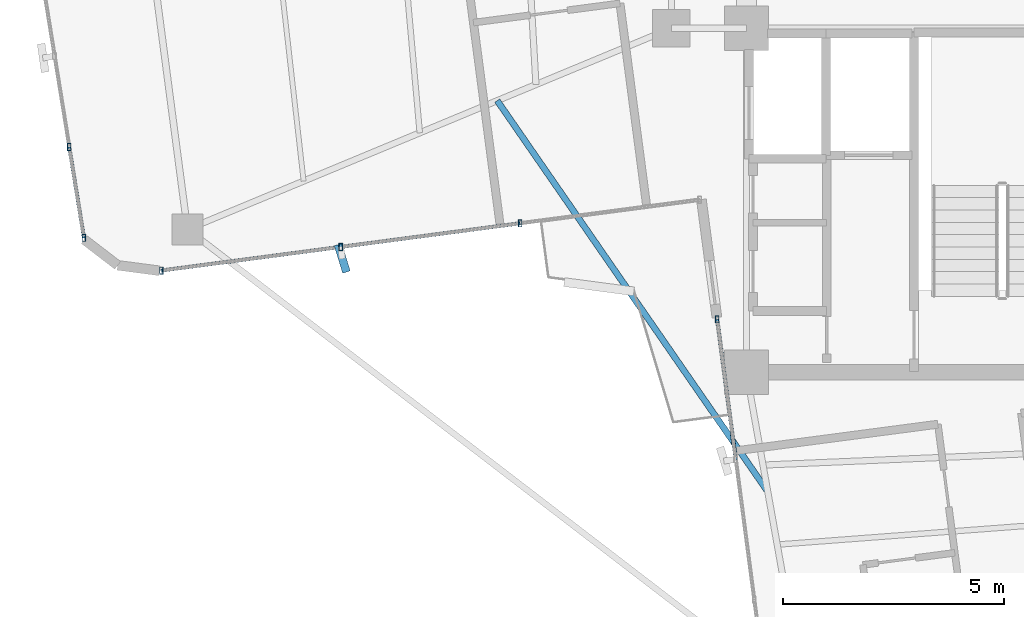
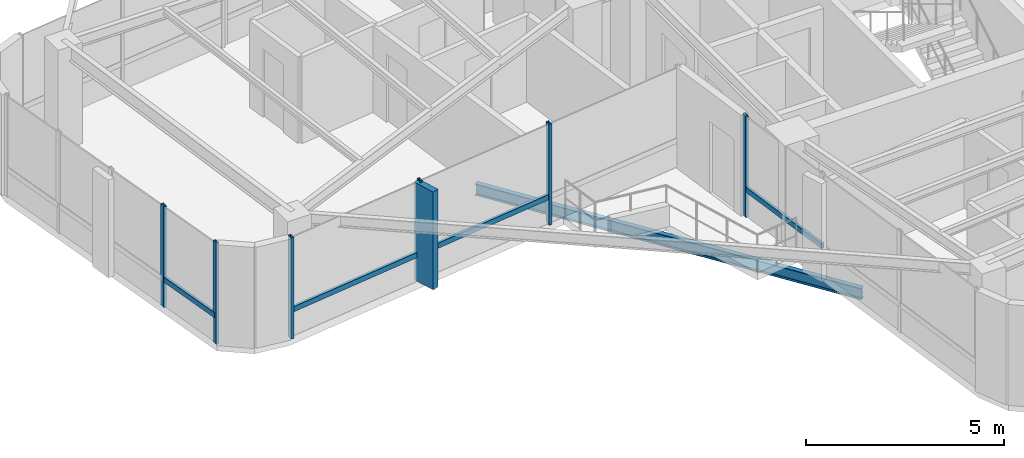
# One storey, part 2 of 22: 11 members, 1 beam, 3 elements without a shape of their own.
"""IFC4 building model written with IfcOpenShell, lengths in metres."""

from ifc_helpers import new_model, si_unit, direction, frame, origin, origin_2d, place, context, subcontext, project, spatial, rectangle, hollow_rectangle, i_section, extrude, source, transform, mapped, material, material_profile, profile_set, type_object, element, aggregate, save


model = new_model("IFC4")

# Units and contexts
model_context = context("Model", 3, precision=1e-05, world=origin(), true_north=direction((0.0, 1.0)))
body_context = subcontext(model_context, "Body", "Model", "MODEL_VIEW")
ifc_project = project(units=[si_unit("LENGTHUNIT", "METRE"), si_unit("AREAUNIT", "SQUARE_METRE"), si_unit("VOLUMEUNIT", "CUBIC_METRE"), si_unit("PLANEANGLEUNIT", "RADIAN"), si_unit("MASSUNIT", "GRAM", prefix="KILO")], contexts=[model_context])

# Site, building, storey
site_placement = place(None, origin())
site = spatial("IfcSite", under=ifc_project, at=site_placement, CompositionType="ELEMENT")
building_placement = place(site_placement, origin())
building = spatial("IfcBuilding", under=site, at=building_placement, Name="Sahyath Konkavel Grand Hotel", CompositionType="ELEMENT")
storey_placement = place(building_placement, frame((0.0, 0.0, 269.10009765625)))
storey = spatial("IfcBuildingStorey", under=building, at=storey_placement, Name="L75", CompositionType="ELEMENT", Elevation=269.10009765625)

# Curtain wall, members
ifc_material_1 = material(Name="Anodised Bronze Aluminium & Low-E Glazing", Category="aluminium")
curtain_wall_type = type_object("IfcCurtainWallType", Name="CW-ZONE4", PredefinedType="NOTDEFINED", material=ifc_material_1)
curtain_wall_1_placement = place(storey_placement, origin())
curtain_wall_1 = element("IfcCurtainWall", 1, at=curtain_wall_1_placement, inside=storey, type_object=curtain_wall_type, Name="L75 Unitised Curtain Wall F20", PredefinedType="NOTDEFINED")
ifc_material_2 = material(Name="Anodised Bronze Aluminium", Category="aluminium")
ifc_material_profile_1 = material_profile(ifc_material_2, hollow_rectangle(XDim=0.080078125, YDim=0.159912109375, WallThickness=0.006103515625, at=origin_2d()), Name="RHS 160x80x6")
ifc_profile_set_1 = profile_set([ifc_material_profile_1], Name="Anodised Bronze Aluminium")
member_type_1 = type_object("IfcMemberType", Name="CW-MUL-160", PredefinedType="MULLION", material=ifc_profile_set_1)
shared_shape_1 = source(origin(), body_context, "Body", "SweptSolid", [
    extrude(hollow_rectangle(XDim=0.080078125, YDim=0.159912109375, WallThickness=0.006103515625, at=origin_2d()), origin(), (0.0, 0.0, 1.0), 3.10986328125),
])
member_1_placement = place(storey_placement, frame((-19.15380859375, -5.09228515625, 0.0), z_axis=(0.0, 0.0, 1.0), x_axis=(1.0, 0.0, 0.0)))
member_1 = element("IfcMember", 2, at=member_1_placement, type_object=member_type_1, Name="L75 Curtain Wall Mullion F20-3", PredefinedType="MULLION", context=body_context, shape_type="MappedRepresentation", body=[
    mapped(shared_shape_1, transform((0.0, 0.0, 0.0), scale=1.0)),
])
member_2_placement = place(storey_placement, frame((-18.82080078125, -7.15283203125, 0.0), z_axis=(0.0, 0.0, 1.0), x_axis=(1.0, 0.0, 0.0)))
member_2 = element("IfcMember", 3, at=member_2_placement, type_object=member_type_1, Name="L75 Curtain Wall Mullion F20-4", PredefinedType="MULLION", context=body_context, shape_type="MappedRepresentation", body=[
    mapped(shared_shape_1, transform((0.0, 0.0, 0.0), scale=1.0)),
])

curtain_wall_2_placement = place(storey_placement, origin())
curtain_wall_2 = element("IfcCurtainWall", 4, at=curtain_wall_2_placement, inside=storey, type_object=curtain_wall_type, Name="L75 Unitised Curtain Wall F23", PredefinedType="NOTDEFINED")
member_3_placement = place(storey_placement, frame((-17.0654296875, -7.89501953125, 0.0), z_axis=(0.0, 0.0, 1.0), x_axis=(1.0, 0.0, 0.0)))
member_3 = element("IfcMember", 5, at=member_3_placement, type_object=member_type_1, Name="L75 Curtain Wall Mullion F23-0", PredefinedType="MULLION", context=body_context, shape_type="MappedRepresentation", body=[
    mapped(shared_shape_1, transform((0.0, 0.0, 0.0), scale=1.0)),
])
member_4_placement = place(storey_placement, frame((-12.997314453125, -7.359619140625, 0.0), z_axis=(0.0, 0.0, 1.0), x_axis=(1.0, 0.0, 0.0)))
member_4 = element("IfcMember", 6, at=member_4_placement, type_object=member_type_1, Name="L75 Curtain Wall Mullion F23-1", PredefinedType="MULLION", context=body_context, shape_type="MappedRepresentation", body=[
    mapped(shared_shape_1, transform((0.0, 0.0, 0.0), scale=1.0)),
])
member_5_placement = place(storey_placement, frame((-8.928955078125, -6.82373046875, 0.0), z_axis=(0.0, 0.0, 1.0), x_axis=(1.0, 0.0, 0.0)))
member_5 = element("IfcMember", 7, at=member_5_placement, type_object=member_type_1, Name="L75 Curtain Wall Mullion F23-2", PredefinedType="MULLION", context=body_context, shape_type="MappedRepresentation", body=[
    mapped(shared_shape_1, transform((0.0, 0.0, 0.0), scale=1.0)),
])

# Curtain wall, member
curtain_wall_3_placement = place(storey_placement, origin())
curtain_wall_3 = element("IfcCurtainWall", 8, at=curtain_wall_3_placement, inside=storey, type_object=curtain_wall_type, Name="L75 Unitised Curtain Wall F24", PredefinedType="NOTDEFINED")
member_6_placement = place(storey_placement, frame((-4.46337890625, -8.99951171875, 0.0), z_axis=(0.0, 0.0, 1.0), x_axis=(1.0, 0.0, 0.0)))
member_6 = element("IfcMember", 9, at=member_6_placement, type_object=member_type_1, Name="L75 Curtain Wall Mullion F24-0", PredefinedType="MULLION", context=body_context, shape_type="MappedRepresentation", body=[
    mapped(shared_shape_1, transform((0.0, 0.0, 0.0), scale=1.0)),
])

# Member
ifc_material_3 = material(Name="Warm Buff Sandstone Cladding on Concrete C50/60", Category="masonry")
ifc_material_profile_2 = material_profile(ifc_material_3, rectangle(XDim=0.179931640625, YDim=0.64990234375, at=origin_2d()), Name="FIN 180x650")
ifc_profile_set_2 = profile_set([ifc_material_profile_2], Name="Warm Buff Sandstone Cladding on Concrete C50/60")
member_type_2 = type_object("IfcMemberType", Name="FIN-SANDSTONE-650", PredefinedType="MULLION", material=ifc_profile_set_2)
shared_shape_2 = source(origin(), body_context, "Body", "SweptSolid", [
    extrude(rectangle(XDim=0.179931640625, YDim=0.64990234375, at=origin_2d()), origin(), (0.0, 0.0, 1.0), 3.010009765625),
])
member_7_placement = place(storey_placement, frame((-12.96337890625, -7.6171875, 0.0498046875), z_axis=(0.0, 0.0, 1.0), x_axis=(0.955690317134, 0.294373942013, 0.0)))
member_7 = element("IfcMember", 10, at=member_7_placement, type_object=member_type_2, Name="L75 Sandstone Vertical Solar Fin FIN F23-1", PredefinedType="MULLION", context=body_context, shape_type="MappedRepresentation", body=[
    mapped(shared_shape_2, transform((0.0, 0.0, 0.0), scale=1.0)),
])

ifc_material_profile_3 = material_profile(ifc_material_2, hollow_rectangle(XDim=0.080078125, YDim=0.159912109375, WallThickness=0.006103515625, at=origin_2d()), Name="RHS 160x80x6")
ifc_profile_set_3 = profile_set([ifc_material_profile_3], Name="Anodised Bronze Aluminium")
member_type_3 = type_object("IfcMemberType", Name="CW-TRN-160", PredefinedType="USERDEFINED", material=ifc_profile_set_3)
shared_shape_3 = source(origin(), body_context, "Body", "SweptSolid", [
    extrude(hollow_rectangle(XDim=0.080078125, YDim=0.159912109375, WallThickness=0.006103515625, at=origin_2d()), origin(), (0.0, 0.0, 1.0), 3.203369140625),
])
member_8_placement = place(storey_placement, frame((-4.46337890625, -8.99951171875, 0.849853515625), z_axis=(0.130476198668, -0.991451441867, 0.0), x_axis=(0.991451441867, 0.130476198668, 0.0)))
member_8 = element("IfcMember", 11, at=member_8_placement, type_object=member_type_3, Name="L75 Curtain Wall Transom F24-0-spandrel", ObjectType="TRANSOM", PredefinedType="USERDEFINED", context=body_context, shape_type="MappedRepresentation", body=[
    mapped(shared_shape_3, transform((0.0, 0.0, 0.0), scale=1.0)),
])

aggregate(curtain_wall_3, [member_6, member_8])

shared_shape_4 = source(origin(), body_context, "Body", "SweptSolid", [
    extrude(hollow_rectangle(XDim=0.080078125, YDim=0.159912109375, WallThickness=0.006103515625, at=origin_2d()), origin(), (0.0, 0.0, 1.0), 2.08740234375),
])
member_9_placement = place(storey_placement, frame((-19.15380859375, -5.09228515625, 0.849853515625), z_axis=(0.159541334591, -0.98719124923, 0.0), x_axis=(0.98719124923, 0.159541334591, 0.0)))
member_9 = element("IfcMember", 12, at=member_9_placement, type_object=member_type_3, Name="L75 Curtain Wall Transom F20-3-spandrel", ObjectType="TRANSOM", PredefinedType="USERDEFINED", context=body_context, shape_type="MappedRepresentation", body=[
    mapped(shared_shape_4, transform((0.0, 0.0, 0.0), scale=1.0)),
])

aggregate(curtain_wall_1, [member_1, member_2, member_9])

shared_shape_5 = source(origin(), body_context, "Body", "SweptSolid", [
    extrude(hollow_rectangle(XDim=0.080078125, YDim=0.159912109375, WallThickness=0.006103515625, at=origin_2d()), origin(), (0.0, 0.0, 1.0), 4.103271484375),
])
member_10_placement = place(storey_placement, frame((-17.0654296875, -7.89501953125, 0.849853515625), z_axis=(0.991450447248, 0.130483756275, 0.0), x_axis=(-0.130483756275, 0.991450447248, 0.0)))
member_10 = element("IfcMember", 13, at=member_10_placement, type_object=member_type_3, Name="L75 Curtain Wall Transom F23-0-spandrel", ObjectType="TRANSOM", PredefinedType="USERDEFINED", context=body_context, shape_type="MappedRepresentation", body=[
    mapped(shared_shape_5, transform((0.0, 0.0, 0.0), scale=1.0)),
])

shared_shape_6 = source(origin(), body_context, "Body", "SweptSolid", [
    extrude(hollow_rectangle(XDim=0.080078125, YDim=0.159912109375, WallThickness=0.006103515625, at=origin_2d()), origin(), (0.0, 0.0, 1.0), 4.103515625),
])
member_11_placement = place(storey_placement, frame((-12.997314453125, -7.359619140625, 0.849853515625), z_axis=(0.991436060505, 0.130593024052, 0.0), x_axis=(-0.130593024052, 0.991436060505, 0.0)))
member_11 = element("IfcMember", 14, at=member_11_placement, type_object=member_type_3, Name="L75 Curtain Wall Transom F23-1-spandrel", ObjectType="TRANSOM", PredefinedType="USERDEFINED", context=body_context, shape_type="MappedRepresentation", body=[
    mapped(shared_shape_6, transform((0.0, 0.0, 0.0), scale=1.0)),
])

aggregate(curtain_wall_2, [member_3, member_4, member_7, member_5, member_10, member_11])

# Beam
ifc_material_4 = material(Name="Steel E350", Category="steel")
ifc_material_profile_4 = material_profile(ifc_material_4, i_section(OverallWidth=0.139892578125, OverallDepth=0.35009765625, WebThickness=0.008056640625, FlangeThickness=0.01416015625, FilletRadius=0.013916015625, at=origin_2d()), Name="ISMB 350")
ifc_profile_set_4 = profile_set([ifc_material_profile_4], Name="Steel E350")
beam_type = type_object("IfcBeamType", Name="BM-BALC-CANT", PredefinedType="BEAM", material=ifc_profile_set_4)
shared_shape_7 = source(origin(), body_context, "Body", "SweptSolid", [
    extrude(i_section(OverallWidth=0.139892578125, OverallDepth=0.35009765625, WebThickness=0.008056640625, FlangeThickness=0.01416015625, FilletRadius=0.013916015625, at=origin_2d()), origin(), (0.0, 0.0, 1.0), 10.778076171875),
])
beam_placement = place(storey_placement, frame((-9.4501953125, -4.04150390625, -0.4150390625), z_axis=(0.569013254295, -0.822328350743, 0.0), x_axis=(0.822328350743, 0.569013254295, 0.0)))
element("IfcBeam", 15, at=beam_placement, inside=storey, type_object=beam_type, Name="L75 Balcony Cantilever Support Beam SW", PredefinedType="BEAM", context=body_context, shape_type="MappedRepresentation", body=[
    mapped(shared_shape_7, transform((0.0, 0.0, 0.0), scale=1.0)),
])

save(model, "model.ifc")
